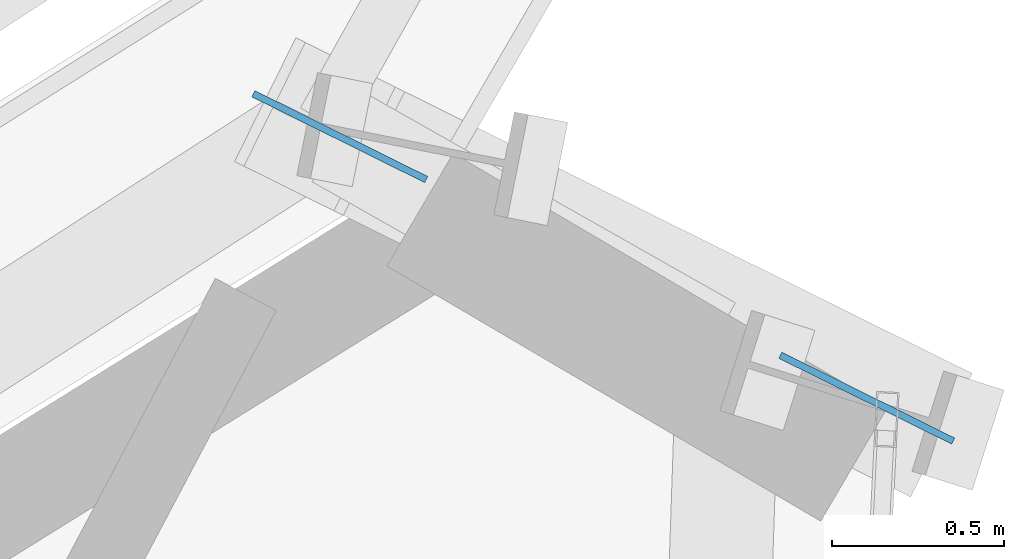
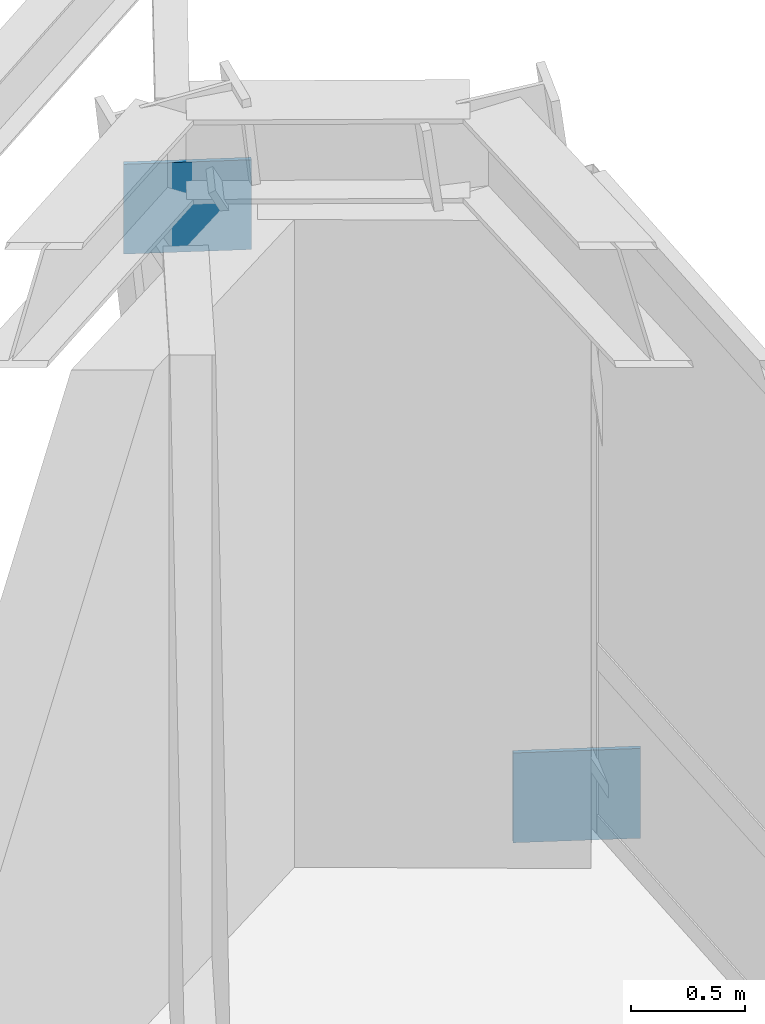
# One storey, part 15 of 21: 2 plates.
"""IFC4 building model written with IfcOpenShell, lengths in metres."""

from ifc_helpers import new_model, si_unit, direction, frame, origin, origin_2d, place, context, subcontext, project, spatial, rectangle, extrude, source, transform, mapped, material, type_object, element, save


model = new_model("IFC4")

# Units and contexts
model_context = context("Model", 3, precision=1e-05, world=origin(), true_north=direction((0.0, 1.0)))
body_context = subcontext(model_context, "Body", "Model", "MODEL_VIEW")
ifc_project = project(units=[si_unit("LENGTHUNIT", "METRE"), si_unit("AREAUNIT", "SQUARE_METRE"), si_unit("VOLUMEUNIT", "CUBIC_METRE"), si_unit("PLANEANGLEUNIT", "RADIAN"), si_unit("MASSUNIT", "GRAM", prefix="KILO")], contexts=[model_context])

# Site, building, storey
site_placement = place(None, origin())
site = spatial("IfcSite", under=ifc_project, at=site_placement, CompositionType="ELEMENT")
building_placement = place(site_placement, origin())
building = spatial("IfcBuilding", under=site, at=building_placement, Name="Olszyna Solenne Hotel", CompositionType="ELEMENT")
storey_placement = place(building_placement, frame((0.0, 0.0, 277.699951171875)))
storey = spatial("IfcBuildingStorey", under=building, at=storey_placement, Name="L74", CompositionType="ELEMENT", Elevation=277.699951171875)

# Plates
ifc_material = material(Name="Steel S355J2", Category="steel")
plate_type = type_object("IfcPlateType", Name="GP-ND2", PredefinedType="USERDEFINED", material=ifc_material)
shared_shape = source(origin(), body_context, "Body", "SweptSolid", [
    extrude(rectangle(XDim=0.56005859375, YDim=0.02001953125, at=origin_2d()), origin(), (0.0, 0.0, 1.0), 0.47998046875),
])
for number, where, z_axis, x_axis, name in (
    (1, (52.191650390625, 49.69775390625, -0.106201171875), (0.0, 0.0, 1.0), (-0.895711760239, 0.444635179185, 0.0), "Brace end connection gusset plate GP-ND2 EP-BR-L74-1-1"),
    (2, (50.662109375, 50.456787109375, 3.115478515625), (0.0, 0.0, 1.0), (-0.895711760239, 0.444635179185, 0.0), "Brace end connection gusset plate GP-ND2 EP-BR-L74-1-2"),
):
    element("IfcPlate", number, at=place(storey_placement, frame(where, z_axis=z_axis, x_axis=x_axis)), inside=storey, type_object=plate_type, Name=name, ObjectType="GUSSET_PLATE", PredefinedType="USERDEFINED", context=body_context, shape_type="MappedRepresentation", body=[
        mapped(shared_shape, transform((0.0, 0.0, 0.0), x_axis=(1.0, 0.0, 0.0), y_axis=(0.0, 1.0, 0.0), z_axis=(0.0, 0.0, 1.0), scale=1.0)),
    ])

save(model, "model.ifc")
